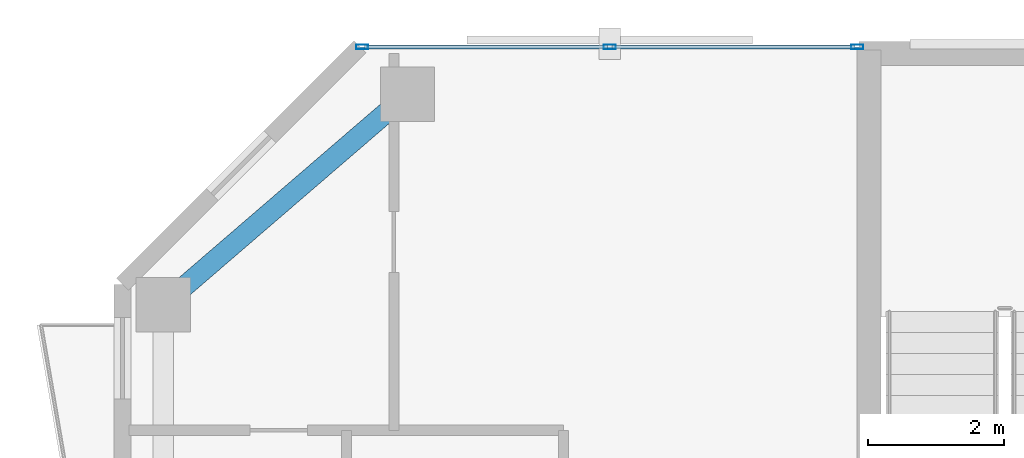
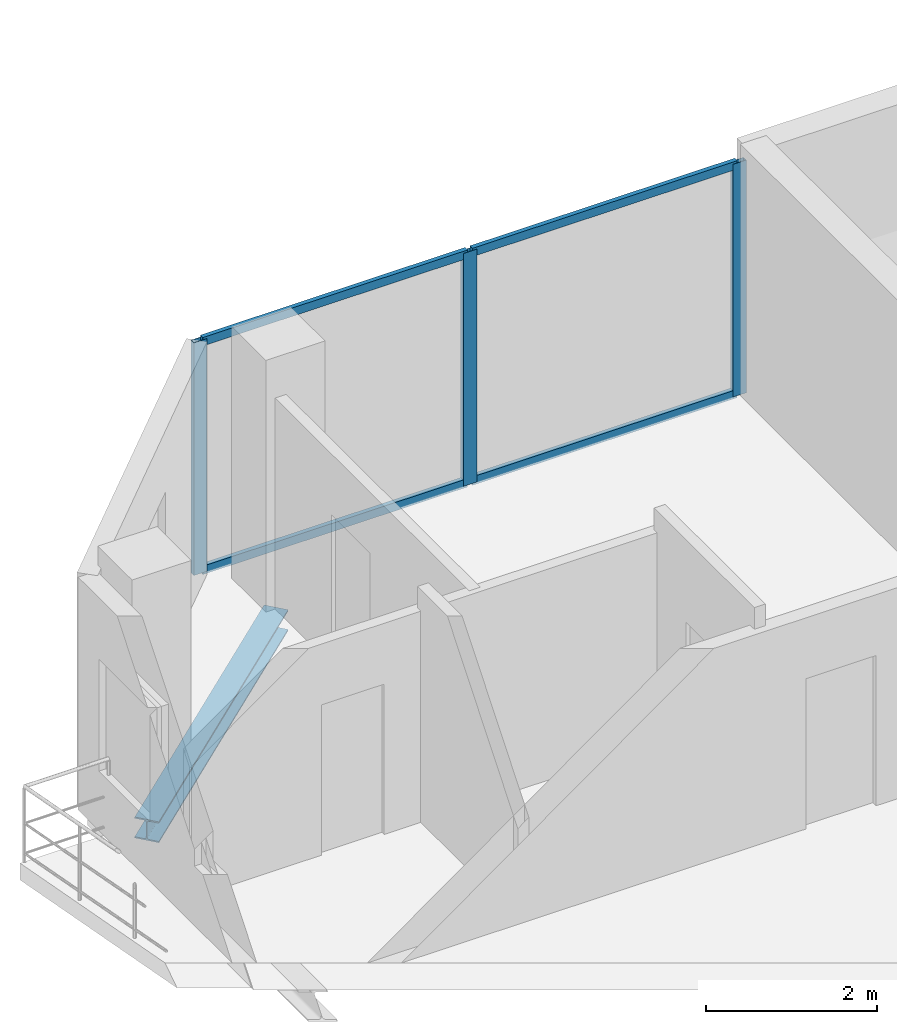
# One storey, part 15 of 23: 7 members, 1 beam, 1 element without a shape of its own.
"""IFC4 building model written with IfcOpenShell, lengths in metres."""

from ifc_helpers import new_model, si_unit, direction, frame, origin, origin_2d, place, context, subcontext, project, spatial, hollow_rectangle, i_section, extrude, material, layer, layer_set, material_profile, profile_set, type_object, element, aggregate, save


model = new_model("IFC4")

# Units and contexts
model_context = context("Model", 3, precision=1e-05, world=origin(), true_north=direction((0.0, 1.0)))
body_context = subcontext(model_context, "Body", "Model", "MODEL_VIEW")
ifc_project = project(units=[si_unit("LENGTHUNIT", "METRE"), si_unit("AREAUNIT", "SQUARE_METRE"), si_unit("VOLUMEUNIT", "CUBIC_METRE"), si_unit("PLANEANGLEUNIT", "RADIAN"), si_unit("MASSUNIT", "GRAM", prefix="KILO")], contexts=[model_context])

# Site, building, storey
site_placement = place(None, origin())
site = spatial("IfcSite", under=ifc_project, at=site_placement, CompositionType="ELEMENT")
building_placement = place(site_placement, origin())
building = spatial("IfcBuilding", under=site, at=building_placement, Name="Catumbela Crestline Tower", CompositionType="ELEMENT")
storey_placement = place(building_placement, frame((0.0, 0.0, 172.2)))
storey = spatial("IfcBuildingStorey", under=building, at=storey_placement, Name="L44", CompositionType="ELEMENT", Elevation=172.2)

# Curtain wall, members
ifc_material_1 = material(Name="Aluminium alloy AW-6060-T66", Category="aluminium")
ifc_layer = layer(ifc_material_1, 0.18, Name="Aluminium alloy AW-6060-T66")
ifc_layer_set = layer_set([ifc_layer], Name="Aluminium alloy AW-6060-T66")
curtain_wall_type = type_object("IfcCurtainWallType", Name="CWU-Z3", PredefinedType="USERDEFINED", material=ifc_layer_set)
curtain_wall_placement = place(storey_placement, origin())
curtain_wall = element("IfcCurtainWall", 1, at=curtain_wall_placement, inside=storey, type_object=curtain_wall_type, Name="L44 Unitised Curtain Wall CW-L44-E7S2", ObjectType="UNITISED", PredefinedType="USERDEFINED")
ifc_material_profile_1 = material_profile(ifc_material_1, hollow_rectangle(XDim=0.065, YDim=0.18, WallThickness=0.004, at=origin_2d()), Name="ALU 180x65x4")
ifc_profile_set_1 = profile_set([ifc_material_profile_1], Name="Aluminium alloy AW-6060-T66")
member_type_1 = type_object("IfcMemberType", Name="MUL-180X65", PredefinedType="MULLION", material=ifc_profile_set_1)
member_1_placement = place(storey_placement, frame((15.8275, 43.0, 0.0), z_axis=(0.0, 0.0, 1.0), x_axis=(0.0, -1.0, 0.0)))
member_1 = element("IfcMember", 2, at=member_1_placement, type_object=member_type_1, Name="CWU-Z3 mullion 1", PredefinedType="MULLION", context=body_context, shape_type="SweptSolid", body=[
    extrude(hollow_rectangle(XDim=0.065, YDim=0.18, WallThickness=0.004, at=origin_2d()), origin(), (0.0, 0.0, 1.0), 3.33),
])
member_2_placement = place(storey_placement, frame((12.18, 43.0, 0.0), z_axis=(0.0, 0.0, 1.0), x_axis=(0.0, -1.0, 0.0)))
member_2 = element("IfcMember", 3, at=member_2_placement, type_object=member_type_1, Name="CWU-Z3 mullion 2", PredefinedType="MULLION", context=body_context, shape_type="SweptSolid", body=[
    extrude(hollow_rectangle(XDim=0.065, YDim=0.18, WallThickness=0.004, at=origin_2d()), origin(), (0.0, 0.0, 1.0), 3.33),
])
member_3_placement = place(storey_placement, frame((8.5325, 43.0, 0.0), z_axis=(0.0, 0.0, 1.0), x_axis=(0.0, -1.0, 0.0)))
member_3 = element("IfcMember", 4, at=member_3_placement, type_object=member_type_1, Name="CWU-Z3 mullion 3", PredefinedType="MULLION", context=body_context, shape_type="SweptSolid", body=[
    extrude(hollow_rectangle(XDim=0.065, YDim=0.18, WallThickness=0.004, at=origin_2d()), origin(), (0.0, 0.0, 1.0), 3.33),
])

# Beam
ifc_material_2 = material(Name="Structural steel S355J2", Category="steel")
ifc_material_profile_2 = material_profile(ifc_material_2, i_section(OverallWidth=0.3, OverallDepth=0.3, WebThickness=0.011, FlangeThickness=0.019, FilletRadius=0.027, at=origin_2d()), Name="HEB 300")
ifc_profile_set_2 = profile_set([ifc_material_profile_2], Name="Structural steel S355J2")
beam_type = type_object("IfcBeamType", Name="BS-HEB300", PredefinedType="SPANDREL", material=ifc_profile_set_2)
beam_placement = place(storey_placement, frame((5.6606, 39.2522, -0.41), z_axis=(0.757772392559, 0.652518966066, 0.0), x_axis=(-0.652518966066, 0.757772392559, 0.0)))
element("IfcBeam", 5, at=beam_placement, inside=storey, type_object=beam_type, Name="L44 Spandrel SP-L44-N10", PredefinedType="SPANDREL", context=body_context, shape_type="SweptSolid", body=[
    extrude(i_section(OverallWidth=0.3, OverallDepth=0.3, WebThickness=0.011, FlangeThickness=0.019, FilletRadius=0.027, at=origin_2d()), origin(), (0.0, 0.0, 1.0), 4.5908),
])

# Member
ifc_material_profile_3 = material_profile(ifc_material_1, hollow_rectangle(XDim=0.06, YDim=0.12, WallThickness=0.0035, at=origin_2d()), Name="ALU 120x60x3.5")
ifc_profile_set_3 = profile_set([ifc_material_profile_3], Name="Aluminium alloy AW-6060-T66")
member_type_2 = type_object("IfcMemberType", Name="TRN-120X60", PredefinedType="USERDEFINED", material=ifc_profile_set_3)
member_4_placement = place(storey_placement, frame((15.795, 43.0, 0.03), z_axis=(-1.0, 0.0, 0.0), x_axis=(0.0, -1.0, 0.0)))
member_4 = element("IfcMember", 6, at=member_4_placement, type_object=member_type_2, Name="CWU-Z3 transom 1.1", ObjectType="TRANSOM", PredefinedType="USERDEFINED", context=body_context, shape_type="SweptSolid", body=[
    extrude(hollow_rectangle(XDim=0.06, YDim=0.12, WallThickness=0.0035, at=origin_2d()), origin(), (0.0, 0.0, 1.0), 3.5825),
])

member_5_placement = place(storey_placement, frame((15.795, 43.0, 3.3), z_axis=(-1.0, 0.0, 0.0), x_axis=(0.0, -1.0, 0.0)))
member_5 = element("IfcMember", 7, at=member_5_placement, type_object=member_type_2, Name="CWU-Z3 transom 1.2", ObjectType="TRANSOM", PredefinedType="USERDEFINED", context=body_context, shape_type="SweptSolid", body=[
    extrude(hollow_rectangle(XDim=0.06, YDim=0.12, WallThickness=0.0035, at=origin_2d()), origin(), (0.0, 0.0, 1.0), 3.5825),
])

member_6_placement = place(storey_placement, frame((12.1475, 43.0, 0.03), z_axis=(-1.0, 0.0, 0.0), x_axis=(0.0, -1.0, 0.0)))
member_6 = element("IfcMember", 8, at=member_6_placement, type_object=member_type_2, Name="CWU-Z3 transom 2.1", ObjectType="TRANSOM", PredefinedType="USERDEFINED", context=body_context, shape_type="SweptSolid", body=[
    extrude(hollow_rectangle(XDim=0.06, YDim=0.12, WallThickness=0.0035, at=origin_2d()), origin(), (0.0, 0.0, 1.0), 3.5825),
])

member_7_placement = place(storey_placement, frame((12.1475, 43.0, 3.3), z_axis=(-1.0, 0.0, 0.0), x_axis=(0.0, -1.0, 0.0)))
member_7 = element("IfcMember", 9, at=member_7_placement, type_object=member_type_2, Name="CWU-Z3 transom 2.2", ObjectType="TRANSOM", PredefinedType="USERDEFINED", context=body_context, shape_type="SweptSolid", body=[
    extrude(hollow_rectangle(XDim=0.06, YDim=0.12, WallThickness=0.0035, at=origin_2d()), origin(), (0.0, 0.0, 1.0), 3.5825),
])

aggregate(curtain_wall, [member_1, member_2, member_3, member_4, member_5, member_6, member_7])

save(model, "model.ifc")
